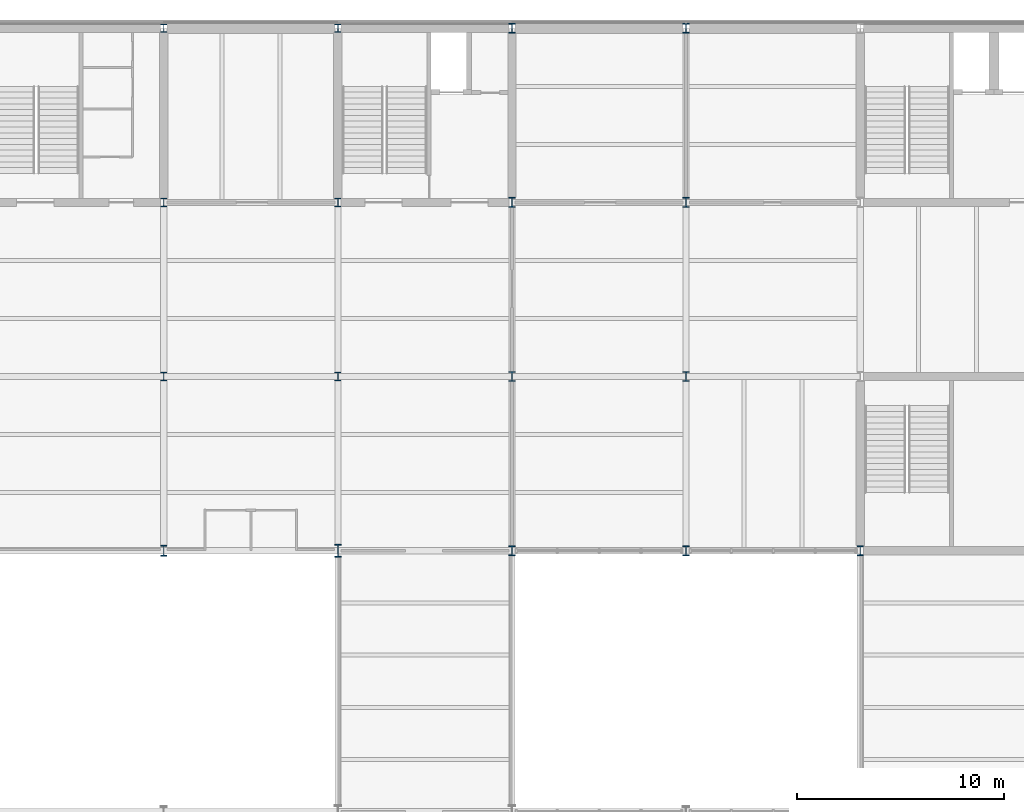
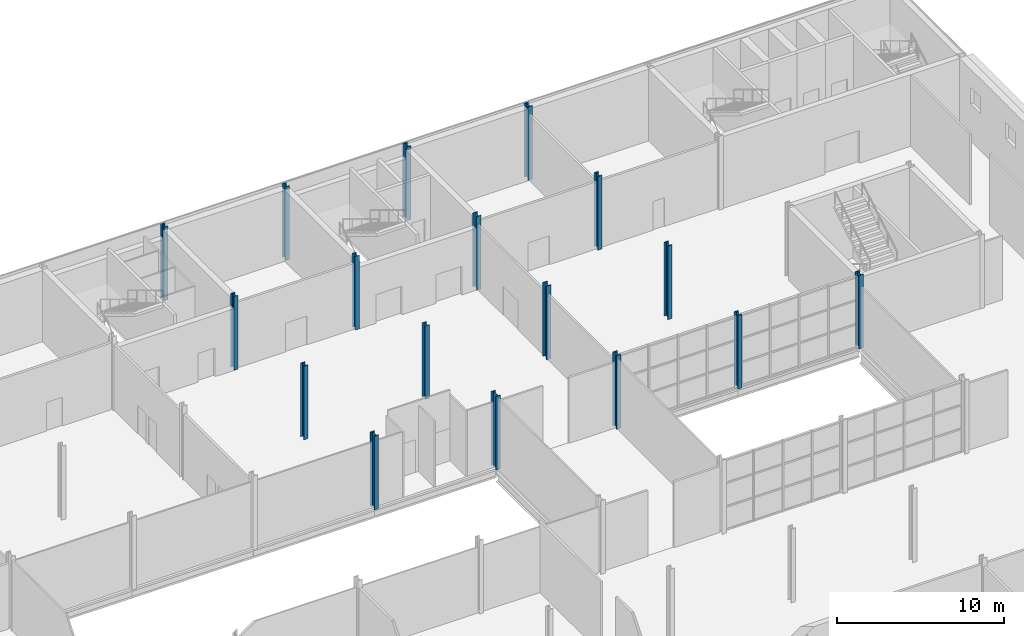
# One storey, part 7 of 57: 17 columns.
"""IFC4 building model written with IfcOpenShell, lengths in metres."""

from ifc_helpers import new_model, si_unit, direction, frame, origin, origin_2d, place, context, subcontext, project, spatial, i_section, extrude, material, material_profile, profile_set, type_object, element, save


model = new_model("IFC4")

# Units and contexts
model_context = context("Model", 3, precision=1e-05, world=origin(), true_north=direction((0.0, 1.0)))
body_context = subcontext(model_context, "Body", "Model", "MODEL_VIEW")
ifc_project = project(units=[si_unit("LENGTHUNIT", "METRE"), si_unit("AREAUNIT", "SQUARE_METRE"), si_unit("VOLUMEUNIT", "CUBIC_METRE"), si_unit("PLANEANGLEUNIT", "RADIAN"), si_unit("MASSUNIT", "GRAM", prefix="KILO")], contexts=[model_context])

# Site, building, storey
site_placement = place(None, origin())
site = spatial("IfcSite", under=ifc_project, at=site_placement, CompositionType="ELEMENT")
building_placement = place(site_placement, origin())
building = spatial("IfcBuilding", under=site, at=building_placement, Name="Galleria Vessillo Department Store", CompositionType="ELEMENT")
storey_placement = place(building_placement, frame((0.0, 0.0, 25.800048828125)))
storey = spatial("IfcBuildingStorey", under=building, at=storey_placement, Name="L05", CompositionType="ELEMENT", Elevation=25.800048828125)

# Columns
ifc_material_1 = material(Name="Steel S355 J2", Category="steel")
ifc_material_profile_1 = material_profile(ifc_material_1, i_section(OverallWidth=0.300048828125, OverallDepth=0.39990234375, WebThickness=0.013427734375, FlangeThickness=0.02392578125, FilletRadius=0.027099609375, at=origin_2d()), Name="HEB 400")
ifc_profile_set_1 = profile_set([ifc_material_profile_1], Name="Steel S355 J2")
column_type_1 = type_object("IfcColumnType", Name="Steel column HEB 400 CP2", PredefinedType="COLUMN", material=ifc_profile_set_1)
for number, where, z_axis, x_axis, name in (
    (1, (67.199951171875, 46.199951171875, 0.0), (0.0, 0.0, 1.0), (1.0, 0.0, 0.0), "S-COL-L05-9-F"),
    (2, (67.199951171875, 54.60009765625, 0.0), (0.0, 0.0, 1.0), (1.0, 0.0, 0.0), "S-COL-L05-9-G"),
    (3, (67.199951171875, 63.0, 0.0), (0.0, 0.0, 1.0), (1.0, 0.0, 0.0), "S-COL-L05-9-H"),
    (4, (75.60009765625, 46.199951171875, 0.0), (0.0, 0.0, 1.0), (1.0, 0.0, 0.0), "S-COL-L05-10-F"),
    (5, (75.60009765625, 54.60009765625, 0.0), (0.0, 0.0, 1.0), (1.0, 0.0, 0.0), "S-COL-L05-10-G"),
    (6, (75.60009765625, 63.0, 0.0), (0.0, 0.0, 1.0), (1.0, 0.0, 0.0), "S-COL-L05-10-H"),
):
    element("IfcColumn", number, at=place(storey_placement, frame(where, z_axis=z_axis, x_axis=x_axis)), inside=storey, type_object=column_type_1, Name=name, PredefinedType="COLUMN", context=body_context, shape_type="SweptSolid", body=[
        extrude(i_section(OverallWidth=0.300048828125, OverallDepth=0.39990234375, WebThickness=0.013427734375, FlangeThickness=0.02392578125, FilletRadius=0.027099609375, at=origin_2d()), origin(), (0.0, 0.0, 1.0), 5.39990234375),
    ])
ifc_material_2 = material(Name="Steel S355 J2", Category="steel")
ifc_material_profile_2 = material_profile(ifc_material_2, i_section(OverallWidth=0.306884765625, OverallDepth=0.47802734375, WebThickness=0.02099609375, FlangeThickness=0.0400390625, FilletRadius=0.027099609375, at=origin_2d()), Name="HEM 450")
ifc_profile_set_2 = profile_set([ifc_material_profile_2], Name="Steel S355 J2")
column_type_2 = type_object("IfcColumnType", Name="Steel column HEM 450 CT2", PredefinedType="COLUMN", material=ifc_profile_set_2)
for number, where, z_axis, x_axis, name in (
    (7, (84.0, 37.800048828125, 0.0), (0.0, 0.0, 1.0), (1.0, 0.0, 0.0), "S-COL-L05-11-E"),
    (8, (84.0, 46.199951171875, 0.0), (0.0, 0.0, 1.0), (1.0, 0.0, 0.0), "S-COL-L05-11-F"),
    (9, (84.0, 54.60009765625, 0.0), (0.0, 0.0, 1.0), (1.0, 0.0, 0.0), "S-COL-L05-11-G"),
    (10, (84.0, 63.0, 0.0), (0.0, 0.0, 1.0), (1.0, 0.0, 0.0), "S-COL-L05-11-H"),
    (11, (92.39990234375, 37.800048828125, 0.0), (0.0, 0.0, 1.0), (1.0, 0.0, 0.0), "S-COL-L05-12-E"),
    (12, (92.39990234375, 46.199951171875, 0.0), (0.0, 0.0, 1.0), (1.0, 0.0, 0.0), "S-COL-L05-12-F"),
    (13, (92.39990234375, 54.60009765625, 0.0), (0.0, 0.0, 1.0), (1.0, 0.0, 0.0), "S-COL-L05-12-G"),
    (14, (92.39990234375, 63.0, 0.0), (0.0, 0.0, 1.0), (1.0, 0.0, 0.0), "S-COL-L05-12-H"),
    (15, (100.800048828125, 37.800048828125, 0.0), (0.0, 0.0, 1.0), (1.0, 0.0, 0.0), "S-COL-L05-13-E"),
):
    element("IfcColumn", number, at=place(storey_placement, frame(where, z_axis=z_axis, x_axis=x_axis)), inside=storey, type_object=column_type_2, Name=name, PredefinedType="COLUMN", context=body_context, shape_type="SweptSolid", body=[
        extrude(i_section(OverallWidth=0.306884765625, OverallDepth=0.47802734375, WebThickness=0.02099609375, FlangeThickness=0.0400390625, FilletRadius=0.027099609375, at=origin_2d()), origin(), (0.0, 0.0, 1.0), 5.39990234375),
    ])
ifc_material_3 = material(Name="Steel S355 J2", Category="steel")
ifc_material_profile_3 = material_profile(ifc_material_3, i_section(OverallWidth=0.305908203125, OverallDepth=0.52392578125, WebThickness=0.02099609375, FlangeThickness=0.0400390625, FilletRadius=0.027099609375, at=origin_2d()), Name="HEM 500")
ifc_profile_set_3 = profile_set([ifc_material_profile_3], Name="Steel S355 J2")
column_type_3 = type_object("IfcColumnType", Name="Steel column HEM 500 CV1", PredefinedType="COLUMN", material=ifc_profile_set_3)
column_1_placement = place(storey_placement, frame((67.199951171875, 37.800048828125, 0.0), z_axis=(0.0, 0.0, 1.0), x_axis=(1.0, 0.0, 0.0)))
element("IfcColumn", 16, at=column_1_placement, inside=storey, type_object=column_type_3, Name="S-COL-L05-9-E", PredefinedType="COLUMN", context=body_context, shape_type="SweptSolid", body=[
    extrude(i_section(OverallWidth=0.305908203125, OverallDepth=0.52392578125, WebThickness=0.02099609375, FlangeThickness=0.0400390625, FilletRadius=0.027099609375, at=origin_2d()), origin(), (0.0, 0.0, 1.0), 5.39990234375),
])
ifc_material_4 = material(Name="Steel S355 J2", Category="steel")
ifc_material_profile_4 = material_profile(ifc_material_4, i_section(OverallWidth=0.304931640625, OverallDepth=0.6201171875, WebThickness=0.02099609375, FlangeThickness=0.0400390625, FilletRadius=0.027099609375, at=origin_2d()), Name="HEM 600")
ifc_profile_set_4 = profile_set([ifc_material_profile_4], Name="Steel S355 J2")
column_type_4 = type_object("IfcColumnType", Name="Steel column HEM 600 CV2", PredefinedType="COLUMN", material=ifc_profile_set_4)
column_2_placement = place(storey_placement, frame((75.60009765625, 37.800048828125, 0.0), z_axis=(0.0, 0.0, 1.0), x_axis=(1.0, 0.0, 0.0)))
element("IfcColumn", 17, at=column_2_placement, inside=storey, type_object=column_type_4, Name="S-COL-L05-10-E", PredefinedType="COLUMN", context=body_context, shape_type="SweptSolid", body=[
    extrude(i_section(OverallWidth=0.304931640625, OverallDepth=0.6201171875, WebThickness=0.02099609375, FlangeThickness=0.0400390625, FilletRadius=0.027099609375, at=origin_2d()), origin(), (0.0, 0.0, 1.0), 5.39990234375),
])

save(model, "model.ifc")
